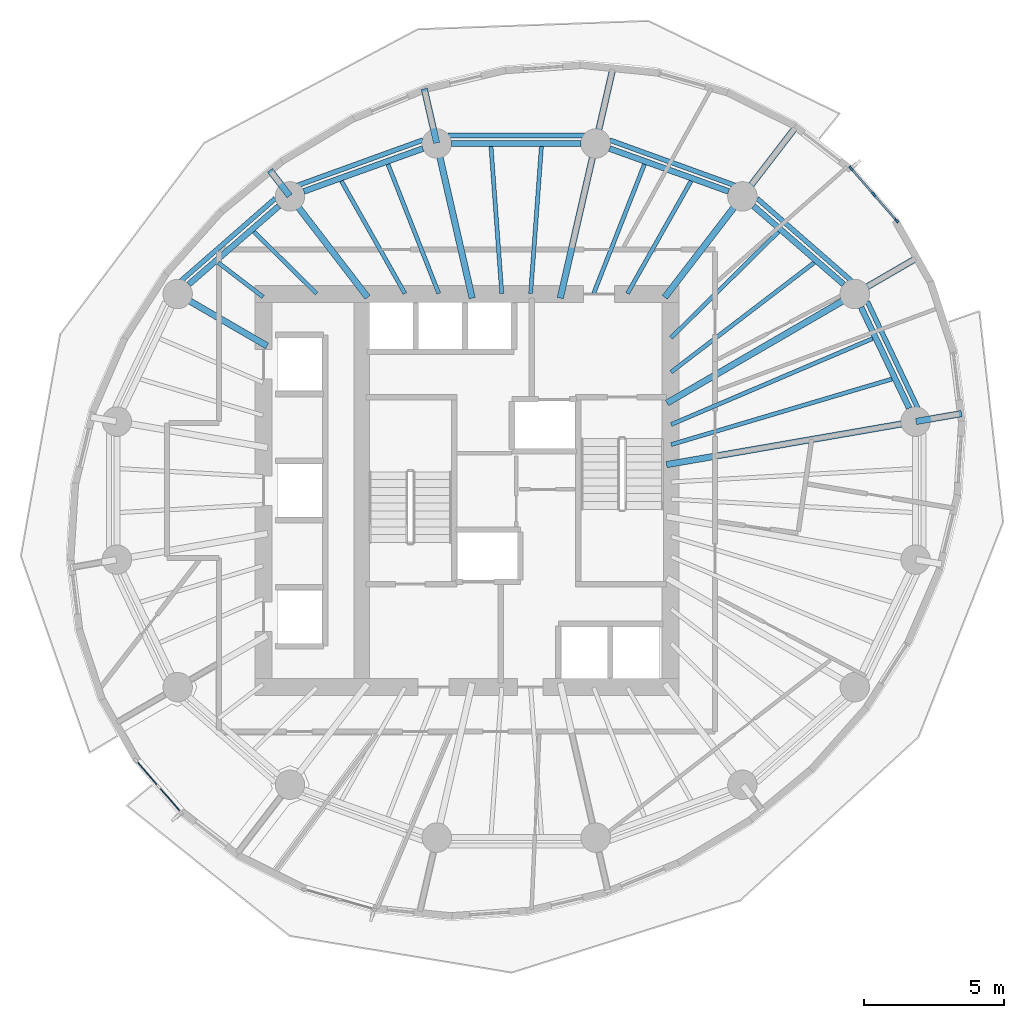
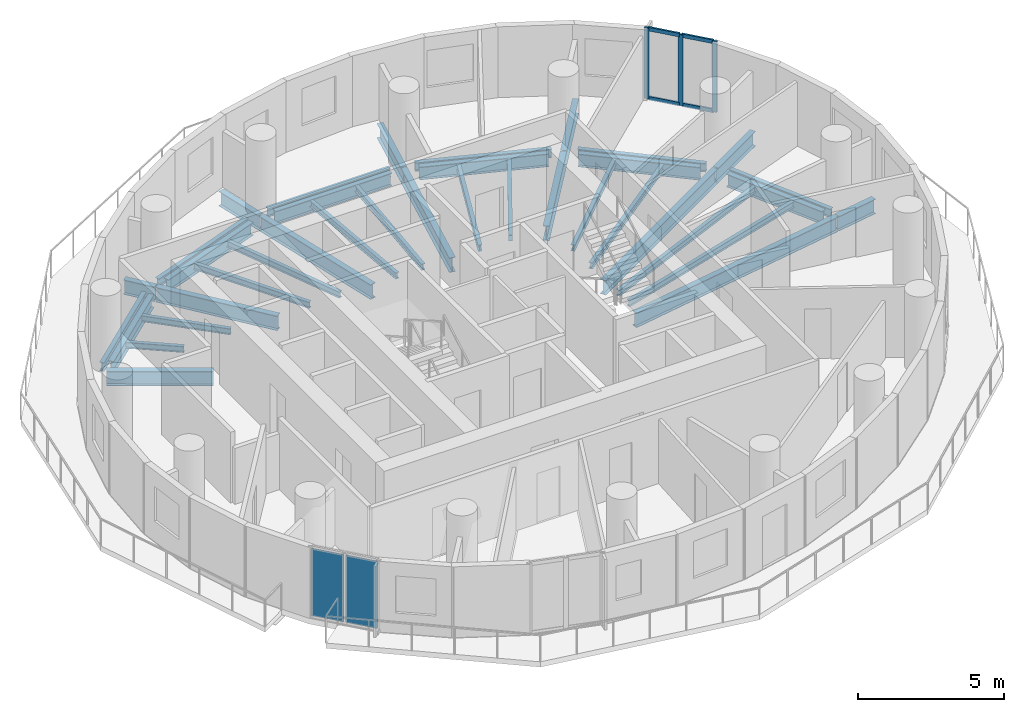
# One storey, part 3 of 12: 37 beams, 7 members, 2 plates, 2 elements without a shape of their own.
"""IFC4 building model written with IfcOpenShell, lengths in metres."""

from ifc_helpers import new_model, si_unit, direction, frame, origin, origin_2d, place, context, subcontext, project, spatial, rectangle, i_section, extrude, material, layer, layer_set, material_profile, profile_set, type_object, element, aggregate, save


model = new_model("IFC4")

# Units and contexts
model_context = context("Model", 3, precision=1e-05, world=origin(), true_north=direction((0.0, 1.0)))
body_context = subcontext(model_context, "Body", "Model", "MODEL_VIEW")
ifc_project = project(units=[si_unit("LENGTHUNIT", "METRE"), si_unit("AREAUNIT", "SQUARE_METRE"), si_unit("VOLUMEUNIT", "CUBIC_METRE"), si_unit("PLANEANGLEUNIT", "RADIAN"), si_unit("MASSUNIT", "GRAM", prefix="KILO")], contexts=[model_context])

# Site, building, storey
site_placement = place(None, origin())
site = spatial("IfcSite", under=ifc_project, at=site_placement, CompositionType="ELEMENT")
building_placement = place(site_placement, origin())
building = spatial("IfcBuilding", under=site, at=building_placement, Name="Veldorim Arch Residences", CompositionType="ELEMENT")
storey_placement = place(building_placement, frame((0.0, 0.0, 145.760009765625)))
storey = spatial("IfcBuildingStorey", under=building, at=storey_placement, Name="L43", CompositionType="ELEMENT", Elevation=145.760009765625)

# Beams
ifc_material_1 = material(Name="Steel S355", Category="steel")
ifc_material_profile_1 = material_profile(ifc_material_1, i_section(OverallWidth=0.2099609375, OverallDepth=0.53662109375, WebThickness=0.0107421875, FlangeThickness=0.017333984375, at=origin_2d()), Name="UB533x210x101")
ifc_profile_set_1 = profile_set([ifc_material_profile_1], Name="Steel S355")
beam_type_1 = type_object("IfcBeamType", Name="Structural Steel Beam UB533x210x101", PredefinedType="BEAM", material=ifc_profile_set_1)
beam_1_placement = place(storey_placement, frame((45.99560546875, 26.931884765625, -0.50830078125), z_axis=(-0.43028577851, 0.902692721147, 0.0), x_axis=(-0.902692721147, -0.43028577851, 0.0)))
element("IfcBeam", 1, at=beam_1_placement, inside=storey, type_object=beam_type_1, Name="L43 perimeter ring tie beam 01", PredefinedType="BEAM", context=body_context, shape_type="SweptSolid", body=[
    extrude(i_section(OverallWidth=0.2099609375, OverallDepth=0.53662109375, WebThickness=0.0107421875, FlangeThickness=0.017333984375, at=origin_2d()), origin(), (0.0, 0.0, 1.0), 3.98193359375),
])
beam_2_placement = place(storey_placement, frame((43.659912109375, 31.344482421875, -0.50830078125), z_axis=(-0.754810789581, 0.655942582802, 0.0), x_axis=(-0.655942582802, -0.754810789581, 0.0)))
element("IfcBeam", 2, at=beam_2_placement, inside=storey, type_object=beam_type_1, Name="L43 perimeter ring tie beam 02", PredefinedType="BEAM", context=body_context, shape_type="SweptSolid", body=[
    extrude(i_section(OverallWidth=0.2099609375, OverallDepth=0.53662109375, WebThickness=0.0107421875, FlangeThickness=0.017333984375, at=origin_2d()), origin(), (0.0, 0.0, 1.0), 4.249755859375),
])
beam_3_placement = place(storey_placement, frame((39.561767578125, 34.654296875, -0.50830078125), z_axis=(-0.940899155006, 0.338686846673, 0.0), x_axis=(-0.338686846673, -0.940899155006, 0.0)))
element("IfcBeam", 3, at=beam_3_placement, inside=storey, type_object=beam_type_1, Name="L43 perimeter ring tie beam 03", PredefinedType="BEAM", context=body_context, shape_type="SweptSolid", body=[
    extrude(i_section(OverallWidth=0.2099609375, OverallDepth=0.53662109375, WebThickness=0.0107421875, FlangeThickness=0.017333984375, at=origin_2d()), origin(), (0.0, 0.0, 1.0), 4.50537109375),
])
beam_4_placement = place(storey_placement, frame((34.3037109375, 36.35791015625, -0.50830078125), z_axis=(-1.0, 0.0, 0.0), x_axis=(0.0, -1.0, 0.0)))
element("IfcBeam", 4, at=beam_4_placement, inside=storey, type_object=beam_type_1, Name="L43 perimeter ring tie beam 04", PredefinedType="BEAM", context=body_context, shape_type="SweptSolid", body=[
    extrude(i_section(OverallWidth=0.2099609375, OverallDepth=0.53662109375, WebThickness=0.0107421875, FlangeThickness=0.017333984375, at=origin_2d()), origin(), (0.0, 0.0, 1.0), 4.607421875),
])
beam_5_placement = place(storey_placement, frame((28.67724609375, 36.18017578125, -0.50830078125), z_axis=(-0.940899155006, -0.338686846673, 0.0), x_axis=(0.338686846673, -0.940899155006, 0.0)))
element("IfcBeam", 5, at=beam_5_placement, inside=storey, type_object=beam_type_1, Name="L43 perimeter ring tie beam 05", PredefinedType="BEAM", context=body_context, shape_type="SweptSolid", body=[
    extrude(i_section(OverallWidth=0.2099609375, OverallDepth=0.53662109375, WebThickness=0.0107421875, FlangeThickness=0.017333984375, at=origin_2d()), origin(), (0.0, 0.0, 1.0), 4.50537109375),
])
beam_6_placement = place(storey_placement, frame((23.5478515625, 34.132080078125, -0.50830078125), z_axis=(-0.754810789581, -0.655942582802, 0.0), x_axis=(0.655942582802, -0.754810789581, 0.0)))
element("IfcBeam", 6, at=beam_6_placement, inside=storey, type_object=beam_type_1, Name="L43 perimeter ring tie beam 06", PredefinedType="BEAM", context=body_context, shape_type="SweptSolid", body=[
    extrude(i_section(OverallWidth=0.2099609375, OverallDepth=0.53662109375, WebThickness=0.0107421875, FlangeThickness=0.017333984375, at=origin_2d()), origin(), (0.0, 0.0, 1.0), 4.249755859375),
])
ifc_material_2 = material(Name="Steel S355", Category="steel")
ifc_material_profile_2 = material_profile(ifc_material_2, i_section(OverallWidth=0.22900390625, OverallDepth=0.6123046875, WebThickness=0.011962890625, FlangeThickness=0.01953125, at=origin_2d()), Name="UB610x229x125")
ifc_profile_set_2 = profile_set([ifc_material_profile_2], Name="Steel S355")
beam_type_2 = type_object("IfcBeamType", Name="Structural Steel Beam UB610x229x125", PredefinedType="BEAM", material=ifc_profile_set_2)
beam_7_placement = place(storey_placement, frame((37.352294921875, 24.925048828125, -0.546142578125), z_axis=(0.985389398766, 0.170316566427, 0.0), x_axis=(-0.170316566427, 0.985389398766, 0.0)))
element("IfcBeam", 7, at=beam_7_placement, inside=storey, type_object=beam_type_2, Name="L43 radial floor girder 01", PredefinedType="BEAM", context=body_context, shape_type="SweptSolid", body=[
    extrude(i_section(OverallWidth=0.22900390625, OverallDepth=0.6123046875, WebThickness=0.011962890625, FlangeThickness=0.01953125, at=origin_2d()), origin(), (0.0, 0.0, 1.0), 8.98046875),
])
beam_8_placement = place(storey_placement, frame((46.2412109375, 26.46142578125, -0.546142578125), z_axis=(0.985387945346, 0.170324975168, 0.0), x_axis=(-0.170324975168, 0.985387945346, 0.0)))
element("IfcBeam", 8, at=beam_8_placement, inside=storey, type_object=beam_type_2, Name="L43 radial edge cantilever girder 01", PredefinedType="BEAM", context=body_context, shape_type="SweptSolid", body=[
    extrude(i_section(OverallWidth=0.22900390625, OverallDepth=0.6123046875, WebThickness=0.011962890625, FlangeThickness=0.01953125, at=origin_2d()), origin(), (0.0, 0.0, 1.0), 1.642578125),
])
beam_9_placement = place(storey_placement, frame((37.370361328125, 27.1181640625, -0.546142578125), z_axis=(0.864793381443, 0.502127879542, 0.0), x_axis=(-0.502127879542, 0.864793381443, 0.0)))
element("IfcBeam", 9, at=beam_9_placement, inside=storey, type_object=beam_type_2, Name="L43 radial floor girder 02", PredefinedType="BEAM", context=body_context, shape_type="SweptSolid", body=[
    extrude(i_section(OverallWidth=0.22900390625, OverallDepth=0.6123046875, WebThickness=0.011962890625, FlangeThickness=0.01953125, at=origin_2d()), origin(), (0.0, 0.0, 1.0), 7.71142578125),
])
beam_10_placement = place(storey_placement, frame((44.073486328125, 31.01025390625, -0.546142578125), z_axis=(0.864771551205, 0.502165474946, 0.0), x_axis=(-0.502165474946, 0.864771551205, 0.0)))
element("IfcBeam", 10, at=beam_10_placement, inside=storey, type_object=beam_type_2, Name="L43 radial edge cantilever girder 02", PredefinedType="BEAM", context=body_context, shape_type="SweptSolid", body=[
    extrude(i_section(OverallWidth=0.22900390625, OverallDepth=0.6123046875, WebThickness=0.011962890625, FlangeThickness=0.01953125, at=origin_2d()), origin(), (0.0, 0.0, 1.0), 2.555908203125),
])
beam_11_placement = place(storey_placement, frame((37.291259765625, 30.881103515625, -0.546142578125), z_axis=(0.609559199361, 0.792740551804, 0.0), x_axis=(-0.792740551804, 0.609559199361, 0.0)))
element("IfcBeam", 11, at=beam_11_placement, inside=storey, type_object=beam_type_2, Name="L43 radial floor girder 03", PredefinedType="BEAM", context=body_context, shape_type="SweptSolid", body=[
    extrude(i_section(OverallWidth=0.22900390625, OverallDepth=0.6123046875, WebThickness=0.011962890625, FlangeThickness=0.01953125, at=origin_2d()), origin(), (0.0, 0.0, 1.0), 4.515380859375),
])
beam_12_placement = place(storey_placement, frame((40.068115234375, 34.492431640625, -0.546142578125), z_axis=(0.60954833207, 0.792748907833, 0.0), x_axis=(-0.792748907833, 0.60954833207, 0.0)))
element("IfcBeam", 12, at=beam_12_placement, inside=storey, type_object=beam_type_2, Name="L43 radial edge cantilever girder 03", PredefinedType="BEAM", context=body_context, shape_type="SweptSolid", body=[
    extrude(i_section(OverallWidth=0.22900390625, OverallDepth=0.6123046875, WebThickness=0.011962890625, FlangeThickness=0.01953125, at=origin_2d()), origin(), (0.0, 0.0, 1.0), 3.123779296875),
])
beam_13_placement = place(storey_placement, frame((33.56884765625, 30.853759765625, -0.546142578125), z_axis=(0.223119342184, 0.974791136164, 0.0), x_axis=(-0.974791136164, 0.223119342184, 0.0)))
element("IfcBeam", 13, at=beam_13_placement, inside=storey, type_object=beam_type_2, Name="L43 radial floor girder 04", PredefinedType="BEAM", context=body_context, shape_type="SweptSolid", body=[
    extrude(i_section(OverallWidth=0.22900390625, OverallDepth=0.6123046875, WebThickness=0.011962890625, FlangeThickness=0.01953125, at=origin_2d()), origin(), (0.0, 0.0, 1.0), 5.62646484375),
])
beam_14_placement = place(storey_placement, frame((34.833251953125, 36.37744140625, -0.546142578125), z_axis=(0.223160890879, 0.974781625177, 0.0), x_axis=(-0.974781625177, 0.223160890879, 0.0)))
element("IfcBeam", 14, at=beam_14_placement, inside=storey, type_object=beam_type_2, Name="L43 radial edge cantilever girder 04", PredefinedType="BEAM", context=body_context, shape_type="SweptSolid", body=[
    extrude(i_section(OverallWidth=0.22900390625, OverallDepth=0.6123046875, WebThickness=0.011962890625, FlangeThickness=0.01953125, at=origin_2d()), origin(), (0.0, 0.0, 1.0), 2.76123046875),
])
beam_15_placement = place(storey_placement, frame((30.43115234375, 30.853759765625, -0.546142578125), z_axis=(-0.223119342184, 0.974791136164, 0.0), x_axis=(-0.974791136164, -0.223119342184, 0.0)))
element("IfcBeam", 15, at=beam_15_placement, inside=storey, type_object=beam_type_2, Name="L43 radial floor girder 05", PredefinedType="BEAM", context=body_context, shape_type="SweptSolid", body=[
    extrude(i_section(OverallWidth=0.22900390625, OverallDepth=0.6123046875, WebThickness=0.011962890625, FlangeThickness=0.01953125, at=origin_2d()), origin(), (0.0, 0.0, 1.0), 5.62646484375),
])
beam_16_placement = place(storey_placement, frame((29.166748046875, 36.37744140625, -0.546142578125), z_axis=(-0.223166267833, 0.974780394192, 0.0), x_axis=(-0.974780394192, -0.223166267833, 0.0)))
element("IfcBeam", 16, at=beam_16_placement, inside=storey, type_object=beam_type_2, Name="L43 radial edge cantilever girder 05", PredefinedType="BEAM", context=body_context, shape_type="SweptSolid", body=[
    extrude(i_section(OverallWidth=0.22900390625, OverallDepth=0.6123046875, WebThickness=0.011962890625, FlangeThickness=0.01953125, at=origin_2d()), origin(), (0.0, 0.0, 1.0), 1.980224609375),
])
beam_17_placement = place(storey_placement, frame((26.708740234375, 30.881103515625, -0.546142578125), z_axis=(-0.609559199361, 0.792740551804, 0.0), x_axis=(-0.792740551804, -0.609559199361, 0.0)))
element("IfcBeam", 17, at=beam_17_placement, inside=storey, type_object=beam_type_2, Name="L43 radial floor girder 06", PredefinedType="BEAM", context=body_context, shape_type="SweptSolid", body=[
    extrude(i_section(OverallWidth=0.22900390625, OverallDepth=0.6123046875, WebThickness=0.011962890625, FlangeThickness=0.01953125, at=origin_2d()), origin(), (0.0, 0.0, 1.0), 4.515380859375),
])
beam_18_placement = place(storey_placement, frame((23.931884765625, 34.492431640625, -0.546142578125), z_axis=(-0.609587834317, 0.792718532805, 0.0), x_axis=(-0.792718532805, -0.609587834317, 0.0)))
element("IfcBeam", 18, at=beam_18_placement, inside=storey, type_object=beam_type_2, Name="L43 radial edge cantilever girder 06", PredefinedType="BEAM", context=body_context, shape_type="SweptSolid", body=[
    extrude(i_section(OverallWidth=0.22900390625, OverallDepth=0.6123046875, WebThickness=0.011962890625, FlangeThickness=0.01953125, at=origin_2d()), origin(), (0.0, 0.0, 1.0), 1.15185546875),
])
beam_19_placement = place(storey_placement, frame((23.129638671875, 29.150390625, -0.546142578125), z_axis=(-0.864794546612, 0.502125872815, 0.0), x_axis=(-0.502125872815, -0.864794546612, 0.0)))
element("IfcBeam", 19, at=beam_19_placement, inside=storey, type_object=beam_type_2, Name="L43 radial floor girder 07", PredefinedType="BEAM", context=body_context, shape_type="SweptSolid", body=[
    extrude(i_section(OverallWidth=0.22900390625, OverallDepth=0.6123046875, WebThickness=0.011962890625, FlangeThickness=0.01953125, at=origin_2d()), origin(), (0.0, 0.0, 1.0), 3.6640625),
])
ifc_material_3 = material(Name="Steel S355", Category="steel")
ifc_material_profile_3 = material_profile(ifc_material_3, i_section(OverallWidth=0.146484375, OverallDepth=0.256103515625, WebThickness=0.00634765625, FlangeThickness=0.010986328125, at=origin_2d()), Name="UB254x146x37")
ifc_profile_set_3 = profile_set([ifc_material_profile_3], Name="Steel S355")
beam_type_3 = type_object("IfcBeamType", Name="Structural Steel Joist UB254x146x37", PredefinedType="JOIST", material=ifc_profile_set_3)
beam_20_placement = place(storey_placement, frame((37.519287109375, 25.63818359375, -0.367919921875), z_axis=(0.958674276305, 0.284505943614, 0.0), x_axis=(-0.284505943614, 0.958674276305, 0.0)))
element("IfcBeam", 20, at=beam_20_placement, inside=storey, type_object=beam_type_3, Name="L43 secondary radial floor joist 01-1", PredefinedType="JOIST", context=body_context, shape_type="SweptSolid", body=[
    extrude(i_section(OverallWidth=0.146484375, OverallDepth=0.256103515625, WebThickness=0.00634765625, FlangeThickness=0.010986328125, at=origin_2d()), origin(), (0.0, 0.0, 1.0), 8.2001953125),
])
beam_21_placement = place(storey_placement, frame((37.518310546875, 26.353515625, -0.367919921875), z_axis=(0.919831795434, 0.39231297214, 0.0), x_axis=(-0.39231297214, 0.919831795434, 0.0)))
element("IfcBeam", 21, at=beam_21_placement, inside=storey, type_object=beam_type_3, Name="L43 secondary radial floor joist 01-2", PredefinedType="JOIST", context=body_context, shape_type="SweptSolid", body=[
    extrude(i_section(OverallWidth=0.146484375, OverallDepth=0.256103515625, WebThickness=0.00634765625, FlangeThickness=0.010986328125, at=origin_2d()), origin(), (0.0, 0.0, 1.0), 7.798828125),
])
beam_22_placement = place(storey_placement, frame((37.515869140625, 28.219482421875, -0.367919921875), z_axis=(0.794267053144, 0.607568801281, 0.0), x_axis=(-0.607568801281, 0.794267053144, 0.0)))
element("IfcBeam", 22, at=beam_22_placement, inside=storey, type_object=beam_type_3, Name="L43 secondary radial floor joist 02-1", PredefinedType="JOIST", context=body_context, shape_type="SweptSolid", body=[
    extrude(i_section(OverallWidth=0.146484375, OverallDepth=0.256103515625, WebThickness=0.00634765625, FlangeThickness=0.010986328125, at=origin_2d()), origin(), (0.0, 0.0, 1.0), 6.412841796875),
])
beam_23_placement = place(storey_placement, frame((37.51416015625, 29.443115234375, -0.367919921875), z_axis=(0.711703457158, 0.702480027523, 0.0), x_axis=(-0.702480027523, 0.711703457158, 0.0)))
element("IfcBeam", 23, at=beam_23_placement, inside=storey, type_object=beam_type_3, Name="L43 secondary radial floor joist 02-2", PredefinedType="JOIST", context=body_context, shape_type="SweptSolid", body=[
    extrude(i_section(OverallWidth=0.146484375, OverallDepth=0.256103515625, WebThickness=0.00634765625, FlangeThickness=0.010986328125, at=origin_2d()), origin(), (0.0, 0.0, 1.0), 5.373291015625),
])
beam_24_placement = place(storey_placement, frame((35.96337890625, 31.017333984375, -0.367919921875), z_axis=(0.491815801586, 0.870699269157, 0.0), x_axis=(-0.870699269157, 0.491815801586, 0.0)))
element("IfcBeam", 24, at=beam_24_placement, inside=storey, type_object=beam_type_3, Name="L43 secondary radial floor joist 03-1", PredefinedType="JOIST", context=body_context, shape_type="SweptSolid", body=[
    extrude(i_section(OverallWidth=0.146484375, OverallDepth=0.256103515625, WebThickness=0.00634765625, FlangeThickness=0.010986328125, at=origin_2d()), origin(), (0.0, 0.0, 1.0), 4.59814453125),
])
beam_25_placement = place(storey_placement, frame((34.7587890625, 31.0185546875, -0.367919921875), z_axis=(0.365777738491, 0.930702232739, 0.0), x_axis=(-0.930702232739, 0.365777738491, 0.0)))
element("IfcBeam", 25, at=beam_25_placement, inside=storey, type_object=beam_type_3, Name="L43 secondary radial floor joist 03-2", PredefinedType="JOIST", context=body_context, shape_type="SweptSolid", body=[
    extrude(i_section(OverallWidth=0.146484375, OverallDepth=0.256103515625, WebThickness=0.00634765625, FlangeThickness=0.010986328125, at=origin_2d()), origin(), (0.0, 0.0, 1.0), 4.9404296875),
])
for number, where, z_axis, x_axis, name in (
    (26, (32.51416015625, 31.02001953125, -0.367919921875), (0.073060364166, 0.997327520521, 0.0), (-0.997327520521, 0.073060364166, 0.0), "L43 secondary radial floor joist 04-1"),
    (27, (31.48583984375, 31.02001953125, -0.367919921875), (-0.073060364166, 0.997327520521, 0.0), (-0.997327520521, -0.073060364166, 0.0), "L43 secondary radial floor joist 04-2"),
):
    element("IfcBeam", number, at=place(storey_placement, frame(where, z_axis=z_axis, x_axis=x_axis)), inside=storey, type_object=beam_type_3, Name=name, PredefinedType="JOIST", context=body_context, shape_type="SweptSolid", body=[
        extrude(i_section(OverallWidth=0.146484375, OverallDepth=0.256103515625, WebThickness=0.00634765625, FlangeThickness=0.010986328125, at=origin_2d()), origin(), (0.0, 0.0, 1.0), 5.242919921875),
    ])
beam_26_placement = place(storey_placement, frame((29.2412109375, 31.0185546875, -0.367919921875), z_axis=(-0.365777738491, 0.930702232739, 0.0), x_axis=(-0.930702232739, -0.365777738491, 0.0)))
element("IfcBeam", 28, at=beam_26_placement, inside=storey, type_object=beam_type_3, Name="L43 secondary radial floor joist 05-1", PredefinedType="JOIST", context=body_context, shape_type="SweptSolid", body=[
    extrude(i_section(OverallWidth=0.146484375, OverallDepth=0.256103515625, WebThickness=0.00634765625, FlangeThickness=0.010986328125, at=origin_2d()), origin(), (0.0, 0.0, 1.0), 4.9404296875),
])
beam_27_placement = place(storey_placement, frame((28.03662109375, 31.017333984375, -0.367919921875), z_axis=(-0.491815801586, 0.870699269157, 0.0), x_axis=(-0.870699269157, -0.491815801586, 0.0)))
element("IfcBeam", 29, at=beam_27_placement, inside=storey, type_object=beam_type_3, Name="L43 secondary radial floor joist 05-2", PredefinedType="JOIST", context=body_context, shape_type="SweptSolid", body=[
    extrude(i_section(OverallWidth=0.146484375, OverallDepth=0.256103515625, WebThickness=0.00634765625, FlangeThickness=0.010986328125, at=origin_2d()), origin(), (0.0, 0.0, 1.0), 4.59814453125),
])
beam_28_placement = place(storey_placement, frame((24.894287109375, 31.013916015625, -0.367919921875), z_axis=(-0.711683379532, 0.702500368183, 0.0), x_axis=(-0.702500368183, -0.711683379532, 0.0)))
element("IfcBeam", 30, at=beam_28_placement, inside=storey, type_object=beam_type_3, Name="L43 secondary radial floor joist 06-1", PredefinedType="JOIST", context=body_context, shape_type="SweptSolid", body=[
    extrude(i_section(OverallWidth=0.146484375, OverallDepth=0.256103515625, WebThickness=0.00634765625, FlangeThickness=0.010986328125, at=origin_2d()), origin(), (0.0, 0.0, 1.0), 3.13720703125),
])
beam_29_placement = place(storey_placement, frame((22.984130859375, 30.89697265625, -0.367919921875), z_axis=(-0.794312925337, 0.607508828448, 0.0), x_axis=(-0.607508828448, -0.794312925337, 0.0)))
element("IfcBeam", 31, at=beam_29_placement, inside=storey, type_object=beam_type_3, Name="L43 secondary radial floor joist 06-2", PredefinedType="JOIST", context=body_context, shape_type="SweptSolid", body=[
    extrude(i_section(OverallWidth=0.146484375, OverallDepth=0.256103515625, WebThickness=0.00634765625, FlangeThickness=0.010986328125, at=origin_2d()), origin(), (0.0, 0.0, 1.0), 2.006103515625),
])
ifc_material_4 = material(Name="Steel S355", Category="steel")
ifc_material_profile_4 = material_profile(ifc_material_4, i_section(OverallWidth=0.172119140625, OverallDepth=0.35791015625, WebThickness=0.008056640625, FlangeThickness=0.012939453125, at=origin_2d()), Name="UB356x171x57")
ifc_profile_set_4 = profile_set([ifc_material_profile_4], Name="Steel S355")
beam_type_4 = type_object("IfcBeamType", Name="Structural Steel Spandrel UB356x171x57", PredefinedType="SPANDREL", material=ifc_profile_set_4)
beam_30_placement = place(storey_placement, frame((46.307861328125, 26.9248046875, -0.43896484375), z_axis=(-0.428579957662, 0.903503857153, 0.0), x_axis=(-0.903503857153, -0.428579957662, 0.0)))
element("IfcBeam", 32, at=beam_30_placement, inside=storey, type_object=beam_type_4, Name="L43 perimeter chord spandrel beam 01", PredefinedType="SPANDREL", context=body_context, shape_type="SweptSolid", body=[
    extrude(i_section(OverallWidth=0.172119140625, OverallDepth=0.35791015625, WebThickness=0.008056640625, FlangeThickness=0.012939453125, at=origin_2d()), origin(), (0.0, 0.0, 1.0), 4.209228515625),
])
beam_31_placement = place(storey_placement, frame((43.9580078125, 31.44921875, -0.43896484375), z_axis=(-0.753014748982, 0.658003638148, 0.0), x_axis=(-0.658003638148, -0.753014748982, 0.0)))
element("IfcBeam", 33, at=beam_31_placement, inside=storey, type_object=beam_type_4, Name="L43 perimeter chord spandrel beam 02", PredefinedType="SPANDREL", context=body_context, shape_type="SweptSolid", body=[
    extrude(i_section(OverallWidth=0.172119140625, OverallDepth=0.35791015625, WebThickness=0.008056640625, FlangeThickness=0.012939453125, at=origin_2d()), origin(), (0.0, 0.0, 1.0), 4.486572265625),
])
beam_32_placement = place(storey_placement, frame((39.79736328125, 34.86279296875, -0.43896484375), z_axis=(-0.940212553113, 0.340588248429, 0.0), x_axis=(-0.340588248429, -0.940212553113, 0.0)))
element("IfcBeam", 34, at=beam_32_placement, inside=storey, type_object=beam_type_4, Name="L43 perimeter chord spandrel beam 03", PredefinedType="SPANDREL", context=body_context, shape_type="SweptSolid", body=[
    extrude(i_section(OverallWidth=0.172119140625, OverallDepth=0.35791015625, WebThickness=0.008056640625, FlangeThickness=0.012939453125, at=origin_2d()), origin(), (0.0, 0.0, 1.0), 4.75390625),
])
beam_33_placement = place(storey_placement, frame((34.43115234375, 36.639404296875, -0.43896484375), z_axis=(-1.0, 0.0, 0.0), x_axis=(0.0, -1.0, 0.0)))
element("IfcBeam", 35, at=beam_33_placement, inside=storey, type_object=beam_type_4, Name="L43 perimeter chord spandrel beam 04", PredefinedType="SPANDREL", context=body_context, shape_type="SweptSolid", body=[
    extrude(i_section(OverallWidth=0.172119140625, OverallDepth=0.35791015625, WebThickness=0.008056640625, FlangeThickness=0.012939453125, at=origin_2d()), origin(), (0.0, 0.0, 1.0), 4.8623046875),
])
beam_34_placement = place(storey_placement, frame((28.67236328125, 36.48193359375, -0.43896484375), z_axis=(-0.940212553113, -0.340588248429, 0.0), x_axis=(0.340588248429, -0.940212553113, 0.0)))
element("IfcBeam", 36, at=beam_34_placement, inside=storey, type_object=beam_type_4, Name="L43 perimeter chord spandrel beam 05", PredefinedType="SPANDREL", context=body_context, shape_type="SweptSolid", body=[
    extrude(i_section(OverallWidth=0.172119140625, OverallDepth=0.35791015625, WebThickness=0.008056640625, FlangeThickness=0.012939453125, at=origin_2d()), origin(), (0.0, 0.0, 1.0), 4.75390625),
])
beam_35_placement = place(storey_placement, frame((23.42041015625, 34.4013671875, -0.43896484375), z_axis=(-0.753014748982, -0.658003638148, 0.0), x_axis=(0.658003638148, -0.753014748982, 0.0)))
element("IfcBeam", 37, at=beam_35_placement, inside=storey, type_object=beam_type_4, Name="L43 perimeter chord spandrel beam 06", PredefinedType="SPANDREL", context=body_context, shape_type="SweptSolid", body=[
    extrude(i_section(OverallWidth=0.172119140625, OverallDepth=0.35791015625, WebThickness=0.008056640625, FlangeThickness=0.012939453125, at=origin_2d()), origin(), (0.0, 0.0, 1.0), 4.486572265625),
])

# Curtain wall, members
ifc_material_5 = material(Name="Aluminium", Category="aluminium")
curtain_wall_type = type_object("IfcCurtainWallType", Name="Zone 3 High-Wind Unitised Curtain Wall", PredefinedType="NOTDEFINED", material=ifc_material_5)
curtain_wall_1_placement = place(storey_placement, origin())
curtain_wall_1 = element("IfcCurtainWall", 38, at=curtain_wall_1_placement, inside=storey, type_object=curtain_wall_type, Name="L43 unitised curtain wall bay 01", PredefinedType="NOTDEFINED")
ifc_material_6 = material(Name="Aluminium", Category="aluminium")
ifc_material_profile_5 = material_profile(ifc_material_6, rectangle(XDim=0.070068359375, YDim=0.179931640625, at=origin_2d()), Name="ALU_MUL_70x180")
ifc_profile_set_5 = profile_set([ifc_material_profile_5], Name="Aluminium")
member_type_1 = type_object("IfcMemberType", Name="Zone 3 High-Wind Unitised Curtain Wall Mullion 70x180", PredefinedType="MULLION", material=ifc_profile_set_5)
member_1_placement = place(storey_placement, frame((43.924560546875, 35.4716796875, 0.0), z_axis=(0.0, 0.0, 1.0), x_axis=(0.754399890607, 0.65641511641, 0.0)))
member_1 = element("IfcMember", 39, at=member_1_placement, type_object=member_type_1, Name="CW-Z3 mullion 1", PredefinedType="MULLION", context=body_context, shape_type="SweptSolid", body=[
    extrude(rectangle(XDim=0.070068359375, YDim=0.179931640625, at=origin_2d()), origin(), (0.0, 0.0, 1.0), 2.9599609375),
])
member_2_placement = place(storey_placement, frame((44.7333984375, 34.542236328125, 0.0), z_axis=(0.0, 0.0, 1.0), x_axis=(0.754399890607, 0.65641511641, 0.0)))
member_2 = element("IfcMember", 40, at=member_2_placement, type_object=member_type_1, Name="CW-Z3 mullion 2", PredefinedType="MULLION", context=body_context, shape_type="SweptSolid", body=[
    extrude(rectangle(XDim=0.070068359375, YDim=0.179931640625, at=origin_2d()), origin(), (0.0, 0.0, 1.0), 2.9599609375),
])
member_3_placement = place(storey_placement, frame((45.5419921875, 33.61279296875, 0.0), z_axis=(0.0, 0.0, 1.0), x_axis=(0.754399890607, 0.65641511641, 0.0)))
member_3 = element("IfcMember", 41, at=member_3_placement, type_object=member_type_1, Name="CW-Z3 mullion 3", PredefinedType="MULLION", context=body_context, shape_type="SweptSolid", body=[
    extrude(rectangle(XDim=0.070068359375, YDim=0.179931640625, at=origin_2d()), origin(), (0.0, 0.0, 1.0), 2.9599609375),
])
ifc_material_7 = material(Name="Aluminium", Category="aluminium")
ifc_material_profile_6 = material_profile(ifc_material_7, rectangle(XDim=0.070068359375, YDim=0.155029296875, at=origin_2d()), Name="ALU_TRN_70x155")
ifc_profile_set_6 = profile_set([ifc_material_profile_6], Name="Aluminium")
member_type_2 = type_object("IfcMemberType", Name="Zone 3 High-Wind Unitised Curtain Wall Transom 70x155", PredefinedType="USERDEFINED", material=ifc_profile_set_6)
member_4_placement = place(storey_placement, frame((43.947509765625, 35.4453125, 0.034912109375), z_axis=(0.656345148791, -0.754460764824, 0.0), x_axis=(0.754460764824, 0.656345148791, 0.0)))
member_4 = element("IfcMember", 42, at=member_4_placement, type_object=member_type_2, Name="CW-Z3 transom 1.1", ObjectType="TRANSOM", PredefinedType="USERDEFINED", context=body_context, shape_type="SweptSolid", body=[
    extrude(rectangle(XDim=0.070068359375, YDim=0.155029296875, at=origin_2d()), origin(), (0.0, 0.0, 1.0), 1.162109375),
])
member_5_placement = place(storey_placement, frame((43.947509765625, 35.4453125, 2.925048828125), z_axis=(0.656345148791, -0.754460764824, 0.0), x_axis=(0.754460764824, 0.656345148791, 0.0)))
member_5 = element("IfcMember", 43, at=member_5_placement, type_object=member_type_2, Name="CW-Z3 transom 1.2", ObjectType="TRANSOM", PredefinedType="USERDEFINED", context=body_context, shape_type="SweptSolid", body=[
    extrude(rectangle(XDim=0.070068359375, YDim=0.155029296875, at=origin_2d()), origin(), (0.0, 0.0, 1.0), 1.162109375),
])
member_6_placement = place(storey_placement, frame((44.75634765625, 34.515869140625, 0.034912109375), z_axis=(0.656345148791, -0.754460764824, 0.0), x_axis=(0.754460764824, 0.656345148791, 0.0)))
member_6 = element("IfcMember", 44, at=member_6_placement, type_object=member_type_2, Name="CW-Z3 transom 2.1", ObjectType="TRANSOM", PredefinedType="USERDEFINED", context=body_context, shape_type="SweptSolid", body=[
    extrude(rectangle(XDim=0.070068359375, YDim=0.155029296875, at=origin_2d()), origin(), (0.0, 0.0, 1.0), 1.162109375),
])
member_7_placement = place(storey_placement, frame((44.75634765625, 34.515869140625, 2.925048828125), z_axis=(0.656345148791, -0.754460764824, 0.0), x_axis=(0.754460764824, 0.656345148791, 0.0)))
member_7 = element("IfcMember", 45, at=member_7_placement, type_object=member_type_2, Name="CW-Z3 transom 2.2", ObjectType="TRANSOM", PredefinedType="USERDEFINED", context=body_context, shape_type="SweptSolid", body=[
    extrude(rectangle(XDim=0.070068359375, YDim=0.155029296875, at=origin_2d()), origin(), (0.0, 0.0, 1.0), 1.162109375),
])
aggregate(curtain_wall_1, [member_1, member_2, member_3, member_4, member_5, member_6, member_7])

# Curtain wall, plates
curtain_wall_2_placement = place(storey_placement, origin())
curtain_wall_2 = element("IfcCurtainWall", 46, at=curtain_wall_2_placement, inside=storey, type_object=curtain_wall_type, Name="L43 unitised curtain wall bay 19", PredefinedType="NOTDEFINED")
ifc_material_8 = material(Name="Laminated Low-E Glass", Category="glass")
ifc_layer = layer(ifc_material_8, 0.028076171875, Name="Zone 3 High-Wind Unitised Curtain Wall Glazing Panel 28")
ifc_layer_set = layer_set([ifc_layer], Name="Laminated Low-E Glass")
plate_type = type_object("IfcPlateType", Name="Zone 3 High-Wind Unitised Curtain Wall Glazing Panel 28", PredefinedType="CURTAIN_PANEL", material=ifc_layer_set)
plate_1_placement = place(storey_placement, frame((19.671142578125, 12.992919921875, 0.06982421875), z_axis=(0.0, 0.0, 1.0), x_axis=(-0.65641511641, 0.754399890607, 0.0)))
plate_1 = element("IfcPlate", 47, at=plate_1_placement, type_object=plate_type, Name="CW-Z3 panel 1.1", PredefinedType="CURTAIN_PANEL", context=body_context, shape_type="SweptSolid", body=[
    extrude(rectangle(XDim=1.162109375, YDim=0.028076171875, at=origin_2d()), origin(), (0.0, 0.0, 1.0), 2.820068359375),
])
plate_2_placement = place(storey_placement, frame((18.8623046875, 13.92236328125, 0.06982421875), z_axis=(0.0, 0.0, 1.0), x_axis=(-0.65641511641, 0.754399890607, 0.0)))
plate_2 = element("IfcPlate", 48, at=plate_2_placement, type_object=plate_type, Name="CW-Z3 panel 2.1", PredefinedType="CURTAIN_PANEL", context=body_context, shape_type="SweptSolid", body=[
    extrude(rectangle(XDim=1.162109375, YDim=0.028076171875, at=origin_2d()), origin(), (0.0, 0.0, 1.0), 2.820068359375),
])
aggregate(curtain_wall_2, [plate_1, plate_2])

save(model, "model.ifc")
